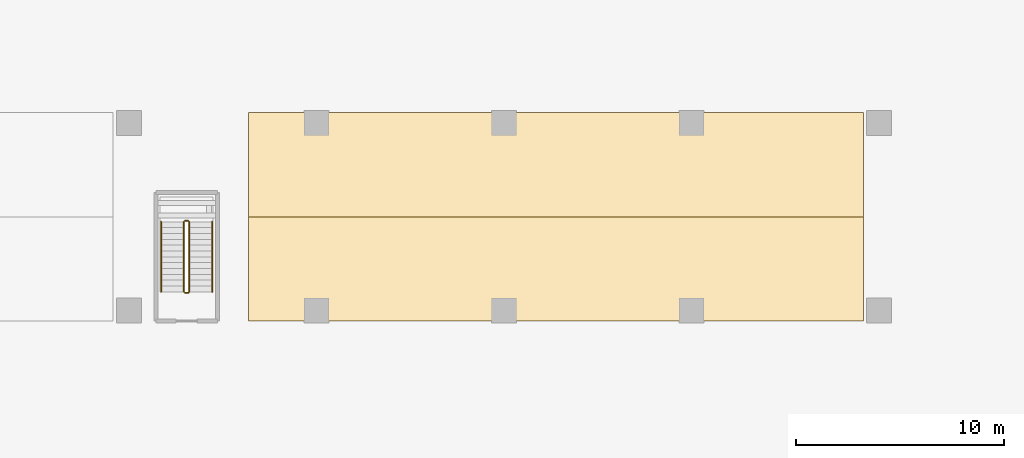
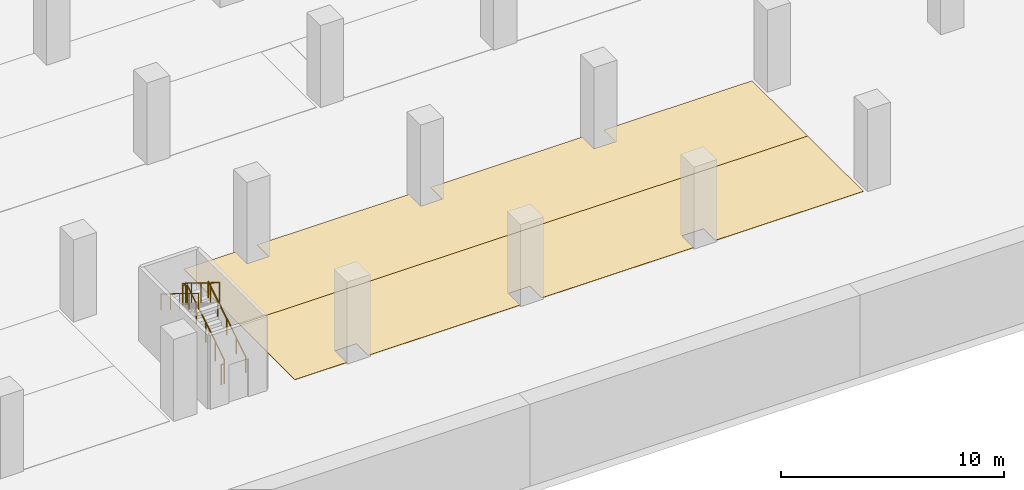
# One storey, part 23 of 34: 6 railings, 2 coverings.
"""IFC4 building model written with IfcOpenShell, lengths in metres."""

from ifc_helpers import new_model, si_unit, direction, frame, origin, origin_2d, place, context, subcontext, project, spatial, polyline, circle, outline, extrude, material, layer, layer_set, type_object, element, save


model = new_model("IFC4")

# Units and contexts
model_context = context("Model", 3, precision=1e-05, world=origin(), true_north=direction((0.0, 1.0)))
body_context = subcontext(model_context, "Body", "Model", "MODEL_VIEW")
ifc_project = project(units=[si_unit("LENGTHUNIT", "METRE"), si_unit("AREAUNIT", "SQUARE_METRE"), si_unit("VOLUMEUNIT", "CUBIC_METRE"), si_unit("PLANEANGLEUNIT", "RADIAN"), si_unit("MASSUNIT", "GRAM", prefix="KILO")], contexts=[model_context])

# Site, building, storey
site_placement = place(None, origin())
site = spatial("IfcSite", under=ifc_project, at=site_placement, CompositionType="ELEMENT")
building_placement = place(site_placement, origin())
building = spatial("IfcBuilding", under=site, at=building_placement, Name="Ogive Gate Towers", CompositionType="ELEMENT")
storey_placement = place(building_placement, frame((0.0, 0.0, -4.5)))
storey = spatial("IfcBuildingStorey", under=building, at=storey_placement, Name="B1", CompositionType="ELEMENT", Elevation=-4.5)

# Railings
ifc_material_1 = material(Name="Painted steel", Category="steel")
railing_type_1 = type_object("IfcRailingType", Name="Car park stair guard 1100", PredefinedType="GUARDRAIL", material=ifc_material_1)
railing_1_placement = place(storey_placement, frame((-42.10009765625, -62.10009765625, 0.173095703125)))
element("IfcRailing", 1, at=railing_1_placement, inside=storey, type_object=railing_type_1, Name="B1 CS6 stair guard 1", PredefinedType="GUARDRAIL", context=body_context, shape_type="SweptSolid", body=[
    extrude(circle(Radius=0.02392578125, at=origin_2d()), frame((0.0, 0.0, 1.076171875), z_axis=(0.0, 0.850623216509, 0.525775754039), x_axis=(-1.0, 0.0, 0.0)), (0.0, 0.0, 1.0), 3.9501953125),
    extrude(circle(Radius=0.02099609375, at=origin_2d()), origin(), (0.0, 0.0, 1.0), 1.052001953125),
    extrude(circle(Radius=0.02099609375, at=origin_2d()), frame((0.0, 0.840087890625, 0.519287109375)), (0.0, 0.0, 1.0), 1.052001953125),
    extrude(circle(Radius=0.02099609375, at=origin_2d()), frame((0.0, 1.68017578125, 1.03857421875)), (0.0, 0.0, 1.0), 1.052001953125),
    extrude(circle(Radius=0.02099609375, at=origin_2d()), frame((0.0, 2.52001953125, 1.5576171875)), (0.0, 0.0, 1.0), 1.052001953125),
    extrude(circle(Radius=0.02099609375, at=origin_2d()), frame((0.0, 3.360107421875, 2.076904296875)), (0.0, 0.0, 1.0), 1.052001953125),
])
railing_2_placement = place(storey_placement, frame((-42.14990234375, -58.68994140625, 2.25)))
element("IfcRailing", 2, at=railing_2_placement, inside=storey, type_object=railing_type_1, Name="B1 CS6 stair guard 2", PredefinedType="GUARDRAIL", context=body_context, shape_type="SweptSolid", body=[
    extrude(circle(Radius=0.02392578125, at=origin_2d()), frame((0.0, 0.0, 1.076171875), z_axis=(-1.0, 0.0, 0.0), x_axis=(0.0, -1.0, 0.0)), (0.0, 0.0, 1.0), 0.150146484375),
    extrude(circle(Radius=0.02099609375, at=origin_2d()), origin(), (0.0, 0.0, 1.0), 1.052001953125),
    extrude(circle(Radius=0.02099609375, at=origin_2d()), frame((-0.150146484375, 0.0, 0.0)), (0.0, 0.0, 1.0), 1.052001953125),
])
railing_3_placement = place(storey_placement, frame((-42.35009765625, -58.739990234375, 2.423095703125)))
element("IfcRailing", 3, at=railing_3_placement, inside=storey, type_object=railing_type_1, Name="B1 CS6 stair guard 3", PredefinedType="GUARDRAIL", context=body_context, shape_type="SweptSolid", body=[
    extrude(circle(Radius=0.02392578125, at=origin_2d()), frame((0.0, 0.0, 1.076171875), z_axis=(0.0, -0.850623216509, 0.525775754039), x_axis=(1.0, 0.0, 0.0)), (0.0, 0.0, 1.0), 3.9501953125),
    extrude(circle(Radius=0.02099609375, at=origin_2d()), origin(), (0.0, 0.0, 1.0), 1.052001953125),
    extrude(circle(Radius=0.02099609375, at=origin_2d()), frame((0.0, -0.840087890625, 0.519287109375)), (0.0, 0.0, 1.0), 1.052001953125),
    extrude(circle(Radius=0.02099609375, at=origin_2d()), frame((0.0, -1.68017578125, 1.03857421875)), (0.0, 0.0, 1.0), 1.052001953125),
    extrude(circle(Radius=0.02099609375, at=origin_2d()), frame((0.0, -2.52001953125, 1.5576171875)), (0.0, 0.0, 1.0), 1.052001953125),
    extrude(circle(Radius=0.02099609375, at=origin_2d()), frame((0.0, -3.360107421875, 2.076904296875)), (0.0, 0.0, 1.0), 1.052001953125),
])
railing_4_placement = place(storey_placement, frame((-42.14990234375, -62.14990234375, 0.0)))
element("IfcRailing", 4, at=railing_4_placement, inside=storey, type_object=railing_type_1, Name="B1 CS6 stair guard 4", PredefinedType="GUARDRAIL", context=body_context, shape_type="SweptSolid", body=[
    extrude(circle(Radius=0.02392578125, at=origin_2d()), frame((0.0, 0.0, 1.076171875), z_axis=(-1.0, 0.0, 0.0), x_axis=(0.0, -1.0, 0.0)), (0.0, 0.0, 1.0), 0.150146484375),
    extrude(circle(Radius=0.02099609375, at=origin_2d()), origin(), (0.0, 0.0, 1.0), 1.052001953125),
    extrude(circle(Radius=0.02099609375, at=origin_2d()), frame((-0.150146484375, 0.0, 0.0)), (0.0, 0.0, 1.0), 1.052001953125),
])
ifc_material_2 = material(Name="Stainless steel handrail", Category="steel")
railing_type_2 = type_object("IfcRailingType", Name="Car park stair handrail 900", PredefinedType="HANDRAIL", material=ifc_material_2)
railing_5_placement = place(storey_placement, frame((-41.0, -62.10009765625, 0.173095703125)))
element("IfcRailing", 5, at=railing_5_placement, inside=storey, type_object=railing_type_2, Name="B1 CS6 stair handrail 1", PredefinedType="HANDRAIL", context=body_context, shape_type="SweptSolid", body=[
    extrude(circle(Radius=0.02392578125, at=origin_2d()), frame((0.0, 0.0, 0.8759765625), z_axis=(0.0, 0.850623216509, 0.525775754039), x_axis=(-1.0, 0.0, 0.0)), (0.0, 0.0, 1.0), 3.9501953125),
    extrude(circle(Radius=0.02099609375, at=origin_2d()), origin(), (0.0, 0.0, 1.0), 0.851806640625),
    extrude(circle(Radius=0.02099609375, at=origin_2d()), frame((0.0, 0.840087890625, 0.519287109375)), (0.0, 0.0, 1.0), 0.851806640625),
    extrude(circle(Radius=0.02099609375, at=origin_2d()), frame((0.0, 1.68017578125, 1.03857421875)), (0.0, 0.0, 1.0), 0.851806640625),
    extrude(circle(Radius=0.02099609375, at=origin_2d()), frame((0.0, 2.52001953125, 1.5576171875)), (0.0, 0.0, 1.0), 0.851806640625),
    extrude(circle(Radius=0.02099609375, at=origin_2d()), frame((0.0, 3.360107421875, 2.076904296875)), (0.0, 0.0, 1.0), 0.851806640625),
])
railing_6_placement = place(storey_placement, frame((-43.449951171875, -58.739990234375, 2.423095703125)))
element("IfcRailing", 6, at=railing_6_placement, inside=storey, type_object=railing_type_2, Name="B1 CS6 stair handrail 2", PredefinedType="HANDRAIL", context=body_context, shape_type="SweptSolid", body=[
    extrude(circle(Radius=0.02392578125, at=origin_2d()), frame((0.0, 0.0, 0.8759765625), z_axis=(0.0, -0.850623216509, 0.525775754039), x_axis=(1.0, 0.0, 0.0)), (0.0, 0.0, 1.0), 3.9501953125),
    extrude(circle(Radius=0.02099609375, at=origin_2d()), origin(), (0.0, 0.0, 1.0), 0.851806640625),
    extrude(circle(Radius=0.02099609375, at=origin_2d()), frame((0.0, -0.840087890625, 0.519287109375)), (0.0, 0.0, 1.0), 0.851806640625),
    extrude(circle(Radius=0.02099609375, at=origin_2d()), frame((0.0, -1.68017578125, 1.03857421875)), (0.0, 0.0, 1.0), 0.851806640625),
    extrude(circle(Radius=0.02099609375, at=origin_2d()), frame((0.0, -2.52001953125, 1.5576171875)), (0.0, 0.0, 1.0), 0.851806640625),
    extrude(circle(Radius=0.02099609375, at=origin_2d()), frame((0.0, -3.360107421875, 2.076904296875)), (0.0, 0.0, 1.0), 0.851806640625),
])

# Coverings
ifc_material_3 = material(Name="Painted floor marking")
ifc_layer = layer(ifc_material_3, 0.02001953125)
ifc_layer_set = layer_set([ifc_layer], Name="Parking bay marking")
covering_type = type_object("IfcCoveringType", Name="Parking bay marking", PredefinedType="FLOORING", material=ifc_layer_set)
covering_1_placement = place(storey_placement, origin())
element("IfcCovering", 7, at=covering_1_placement, inside=storey, type_object=covering_type, Name="Parking bays B1-355 to B1-364", PredefinedType="FLOORING", context=body_context, shape_type="SweptSolid", body=[
    extrude(outline(polyline([(-9.75, -58.5), (-9.75, -63.5), (-17.449951171875, -63.5), (-17.449951171875, -62.449951171875), (-18.550048828125, -62.449951171875), (-18.550048828125, -63.5), (-26.449951171875, -63.5), (-26.449951171875, -62.449951171875), (-27.550048828125, -62.449951171875), (-27.550048828125, -63.5), (-35.449951171875, -63.5), (-35.449951171875, -62.449951171875), (-36.550048828125, -62.449951171875), (-36.550048828125, -63.5), (-39.25, -63.5), (-39.25, -58.5), (-9.75, -58.5)])), origin(), (0.0, 0.0, 1.0), 0.02001953125),
])
covering_2_placement = place(storey_placement, origin())
element("IfcCovering", 8, at=covering_2_placement, inside=storey, type_object=covering_type, Name="Parking bays B1-768 to B1-777", PredefinedType="FLOORING", context=body_context, shape_type="SweptSolid", body=[
    extrude(outline(polyline([(-36.550048828125, -53.5), (-36.550048828125, -54.550048828125), (-35.449951171875, -54.550048828125), (-35.449951171875, -53.5), (-27.550048828125, -53.5), (-27.550048828125, -54.550048828125), (-26.449951171875, -54.550048828125), (-26.449951171875, -53.5), (-18.550048828125, -53.5), (-18.550048828125, -54.550048828125), (-17.449951171875, -54.550048828125), (-17.449951171875, -53.5), (-9.75, -53.5), (-9.75, -58.5), (-39.25, -58.5), (-39.25, -53.5), (-36.550048828125, -53.5)])), origin(), (0.0, 0.0, 1.0), 0.02001953125),
])

save(model, "model.ifc")
